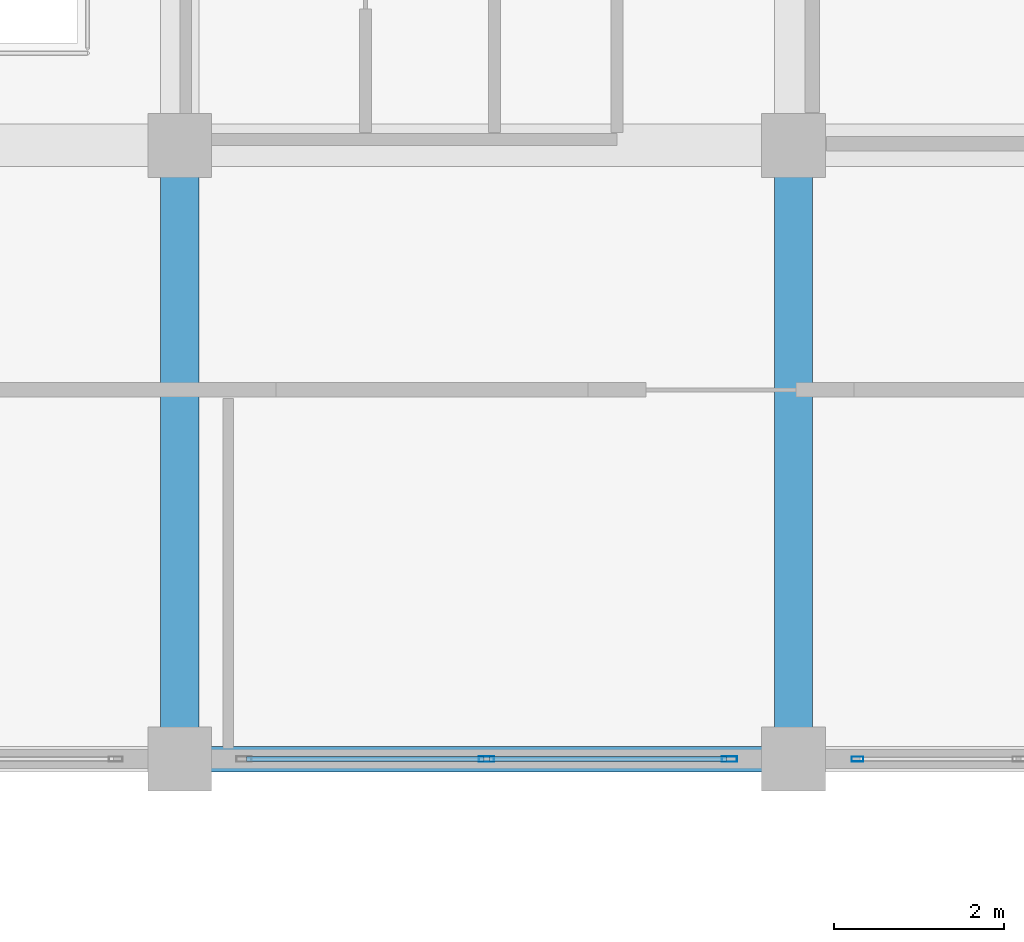
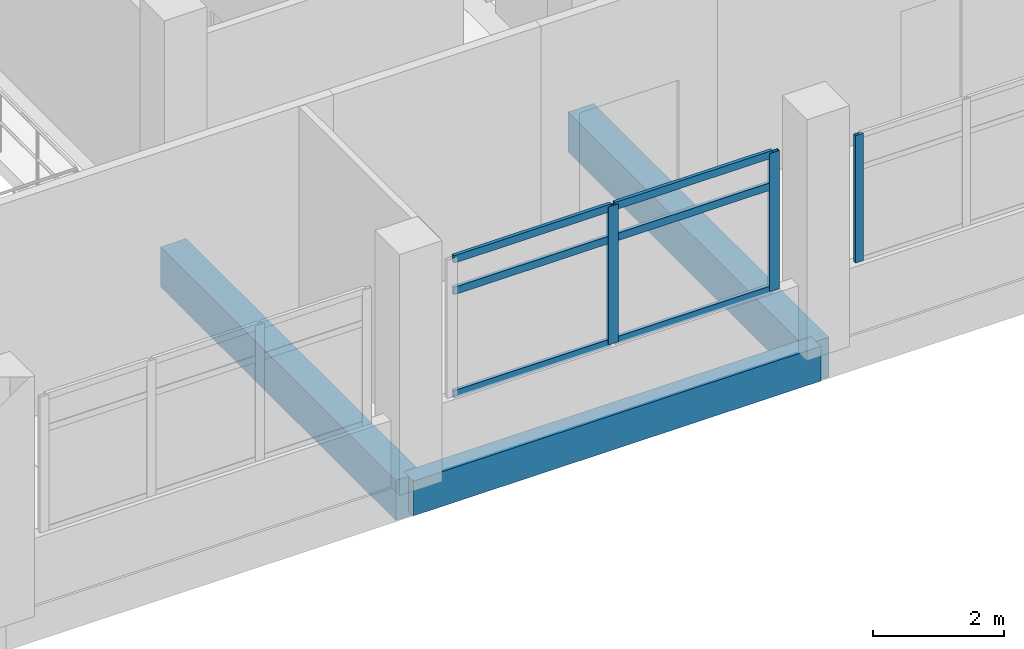
# One storey, part 26 of 141: 9 members, 3 beams, 2 elements without a shape of their own.
"""IFC4 building model written with IfcOpenShell, lengths in metres."""

from ifc_helpers import new_model, si_unit, direction, frame, origin, origin_2d, place, context, subcontext, project, spatial, rectangle, hollow_rectangle, extrude, material, layer, layer_set, material_profile, profile_set, type_object, element, aggregate, save


model = new_model("IFC4")

# Units and contexts
model_context = context("Model", 3, precision=1e-05, world=origin(), true_north=direction((0.0, 1.0)))
body_context = subcontext(model_context, "Body", "Model", "MODEL_VIEW")
ifc_project = project(units=[si_unit("LENGTHUNIT", "METRE"), si_unit("AREAUNIT", "SQUARE_METRE"), si_unit("VOLUMEUNIT", "CUBIC_METRE"), si_unit("PLANEANGLEUNIT", "RADIAN"), si_unit("MASSUNIT", "GRAM", prefix="KILO")], contexts=[model_context])

# Site, building, storey
site_placement = place(None, origin())
site = spatial("IfcSite", under=ifc_project, at=site_placement, CompositionType="ELEMENT")
building_placement = place(site_placement, origin())
building = spatial("IfcBuilding", under=site, at=building_placement, Name="Seraya Terrace Polytechnic", CompositionType="ELEMENT")
storey_placement = place(building_placement, frame((0.0, 0.0, 14.39990234375)))
storey = spatial("IfcBuildingStorey", under=building, at=storey_placement, Name="L03", CompositionType="ELEMENT", Elevation=14.39990234375)

# Beams
ifc_material_1 = material(Name="Concrete C40/50", Category="concrete")
ifc_material_profile_1 = material_profile(ifc_material_1, rectangle(XDim=0.449951171875, YDim=0.75, at=origin_2d()), Name="RC 450x750")
ifc_profile_set_1 = profile_set([ifc_material_profile_1], Name="Concrete C40/50")
beam_type_1 = type_object("IfcBeamType", Name="BM-08", PredefinedType="BEAM", material=ifc_profile_set_1)
for number, where, z_axis, x_axis, name in (
    (1, (72.0, 0.0, -0.375), (0.0, 1.0, 0.0), (-1.0, 0.0, 0.0), "Beam BM-08 L03 Y (72.0, 0.0..7.2)"),
    (2, (79.199951171875, 0.0, -0.375), (0.0, 1.0, 0.0), (-1.0, 0.0, 0.0), "Beam BM-08 L03 Y (79.2, 0.0..7.2)"),
):
    element("IfcBeam", number, at=place(storey_placement, frame(where, z_axis=z_axis, x_axis=x_axis)), inside=storey, type_object=beam_type_1, Name=name, PredefinedType="BEAM", context=body_context, shape_type="SweptSolid", body=[
        extrude(rectangle(XDim=0.449951171875, YDim=0.75, at=origin_2d()), origin(), (0.0, 0.0, 1.0), 7.199951171875),
    ])

# Curtain wall, members
ifc_material_2 = material(Name="Anodised aluminium EN AW-6063 T6", Category="aluminium")
ifc_layer_1 = layer(ifc_material_2, 0.179931640625, Name="CW-31")
ifc_layer_set_1 = layer_set([ifc_layer_1], Name="Anodised aluminium EN AW-6063 T6")
curtain_wall_type_1 = type_object("IfcCurtainWallType", Name="CW-31", PredefinedType="NOTDEFINED", material=ifc_layer_set_1)
curtain_wall_1_placement = place(storey_placement, origin())
curtain_wall_1 = element("IfcCurtainWall", 3, at=curtain_wall_1_placement, inside=storey, type_object=curtain_wall_type_1, Name="Unitised curtain wall CW-31 (CW-L03-103)", PredefinedType="NOTDEFINED")
ifc_material_profile_2 = material_profile(ifc_material_2, hollow_rectangle(XDim=0.06494140625, YDim=0.179931640625, WallThickness=0.00390625, at=origin_2d()), Name="RHS 180x65x4.0")
ifc_profile_set_2 = profile_set([ifc_material_profile_2], Name="Anodised aluminium EN AW-6063 T6")
member_type_1 = type_object("IfcMemberType", Name="CWM-01", PredefinedType="MULLION", material=ifc_profile_set_2)
member_1_placement = place(storey_placement, frame((78.447509765625, 0.0, 1.239990234375), z_axis=(0.0, 0.0, 1.0), x_axis=(0.0, -1.0, 0.0)))
member_1 = element("IfcMember", 4, at=member_1_placement, type_object=member_type_1, Name="CW-31 mullion 1", PredefinedType="MULLION", context=body_context, shape_type="SweptSolid", body=[
    extrude(hollow_rectangle(XDim=0.06494140625, YDim=0.179931640625, WallThickness=0.00390625, at=origin_2d()), origin(), (0.0, 0.0, 1.0), 2.580078125),
])
member_2_placement = place(storey_placement, frame((75.60009765625, 0.0, 1.239990234375), z_axis=(0.0, 0.0, 1.0), x_axis=(0.0, -1.0, 0.0)))
member_2 = element("IfcMember", 5, at=member_2_placement, type_object=member_type_1, Name="CW-31 mullion 2", PredefinedType="MULLION", context=body_context, shape_type="SweptSolid", body=[
    extrude(hollow_rectangle(XDim=0.06494140625, YDim=0.179931640625, WallThickness=0.00390625, at=origin_2d()), origin(), (0.0, 0.0, 1.0), 2.580078125),
])

# Curtain wall, member
ifc_layer_2 = layer(ifc_material_2, 0.179931640625, Name="CW-30")
ifc_layer_set_2 = layer_set([ifc_layer_2], Name="Anodised aluminium EN AW-6063 T6")
curtain_wall_type_2 = type_object("IfcCurtainWallType", Name="CW-30", PredefinedType="NOTDEFINED", material=ifc_layer_set_2)
curtain_wall_2_placement = place(storey_placement, origin())
curtain_wall_2 = element("IfcCurtainWall", 6, at=curtain_wall_2_placement, inside=storey, type_object=curtain_wall_type_2, Name="Unitised curtain wall CW-30 (CW-L03-102)", PredefinedType="NOTDEFINED")
ifc_material_profile_3 = material_profile(ifc_material_2, hollow_rectangle(XDim=0.06005859375, YDim=0.139892578125, WallThickness=0.00341796875, at=origin_2d()), Name="RHS 140x60x3.5")
ifc_profile_set_3 = profile_set([ifc_material_profile_3], Name="Anodised aluminium EN AW-6063 T6")
member_type_2 = type_object("IfcMemberType", Name="CWM-03", PredefinedType="MULLION", material=ifc_profile_set_3)
member_3_placement = place(storey_placement, frame((79.949951171875, 0.0, 1.239990234375), z_axis=(0.0, 0.0, 1.0), x_axis=(0.0, -1.0, 0.0)))
member_3 = element("IfcMember", 7, at=member_3_placement, type_object=member_type_2, Name="CW-30 mullion 4", PredefinedType="MULLION", context=body_context, shape_type="SweptSolid", body=[
    extrude(hollow_rectangle(XDim=0.06005859375, YDim=0.139892578125, WallThickness=0.00341796875, at=origin_2d()), origin(), (0.0, 0.0, 1.0), 2.380126953125),
])
aggregate(curtain_wall_2, [member_3])

# Member
ifc_material_profile_4 = material_profile(ifc_material_2, hollow_rectangle(XDim=0.06005859375, YDim=0.139892578125, WallThickness=0.00341796875, at=origin_2d()), Name="RHS 140x60x3.5")
ifc_profile_set_4 = profile_set([ifc_material_profile_4], Name="Anodised aluminium EN AW-6063 T6")
member_type_3 = type_object("IfcMemberType", Name="CWT-01", PredefinedType="USERDEFINED", material=ifc_profile_set_4)
member_4_placement = place(storey_placement, frame((78.4150390625, 0.0, 1.27001953125), z_axis=(-1.0, 0.0, 0.0), x_axis=(0.0, -1.0, 0.0)))
member_4 = element("IfcMember", 8, at=member_4_placement, type_object=member_type_3, Name="CW-31 transom 1.1", ObjectType="TRANSOM", PredefinedType="USERDEFINED", context=body_context, shape_type="SweptSolid", body=[
    extrude(hollow_rectangle(XDim=0.06005859375, YDim=0.139892578125, WallThickness=0.00341796875, at=origin_2d()), origin(), (0.0, 0.0, 1.0), 2.782470703125),
])

member_5_placement = place(storey_placement, frame((78.4150390625, 0.0, 3.2001953125), z_axis=(-1.0, 0.0, 0.0), x_axis=(0.0, -1.0, 0.0)))
member_5 = element("IfcMember", 9, at=member_5_placement, type_object=member_type_3, Name="CW-31 transom 1.2", ObjectType="TRANSOM", PredefinedType="USERDEFINED", context=body_context, shape_type="SweptSolid", body=[
    extrude(hollow_rectangle(XDim=0.06005859375, YDim=0.139892578125, WallThickness=0.00341796875, at=origin_2d()), origin(), (0.0, 0.0, 1.0), 2.782470703125),
])

member_6_placement = place(storey_placement, frame((78.4150390625, 0.0, 3.7900390625), z_axis=(-1.0, 0.0, 0.0), x_axis=(0.0, -1.0, 0.0)))
member_6 = element("IfcMember", 10, at=member_6_placement, type_object=member_type_3, Name="CW-31 transom 1.3", ObjectType="TRANSOM", PredefinedType="USERDEFINED", context=body_context, shape_type="SweptSolid", body=[
    extrude(hollow_rectangle(XDim=0.06005859375, YDim=0.139892578125, WallThickness=0.00341796875, at=origin_2d()), origin(), (0.0, 0.0, 1.0), 2.782470703125),
])

member_7_placement = place(storey_placement, frame((75.5673828125, 0.0, 1.27001953125), z_axis=(-1.0, 0.0, 0.0), x_axis=(0.0, -1.0, 0.0)))
member_7 = element("IfcMember", 11, at=member_7_placement, type_object=member_type_3, Name="CW-31 transom 2.1", ObjectType="TRANSOM", PredefinedType="USERDEFINED", context=body_context, shape_type="SweptSolid", body=[
    extrude(hollow_rectangle(XDim=0.06005859375, YDim=0.139892578125, WallThickness=0.00341796875, at=origin_2d()), origin(), (0.0, 0.0, 1.0), 2.782470703125),
])

member_8_placement = place(storey_placement, frame((75.5673828125, 0.0, 3.2001953125), z_axis=(-1.0, 0.0, 0.0), x_axis=(0.0, -1.0, 0.0)))
member_8 = element("IfcMember", 12, at=member_8_placement, type_object=member_type_3, Name="CW-31 transom 2.2", ObjectType="TRANSOM", PredefinedType="USERDEFINED", context=body_context, shape_type="SweptSolid", body=[
    extrude(hollow_rectangle(XDim=0.06005859375, YDim=0.139892578125, WallThickness=0.00341796875, at=origin_2d()), origin(), (0.0, 0.0, 1.0), 2.782470703125),
])

member_9_placement = place(storey_placement, frame((75.5673828125, 0.0, 3.7900390625), z_axis=(-1.0, 0.0, 0.0), x_axis=(0.0, -1.0, 0.0)))
member_9 = element("IfcMember", 13, at=member_9_placement, type_object=member_type_3, Name="CW-31 transom 2.3", ObjectType="TRANSOM", PredefinedType="USERDEFINED", context=body_context, shape_type="SweptSolid", body=[
    extrude(hollow_rectangle(XDim=0.06005859375, YDim=0.139892578125, WallThickness=0.00341796875, at=origin_2d()), origin(), (0.0, 0.0, 1.0), 2.782470703125),
])

aggregate(curtain_wall_1, [member_1, member_2, member_4, member_5, member_6, member_7, member_8, member_9])

# Beam
ifc_material_profile_5 = material_profile(ifc_material_1, rectangle(XDim=0.300048828125, YDim=0.64990234375, at=origin_2d()), Name="RC 300x650")
ifc_profile_set_5 = profile_set([ifc_material_profile_5], Name="Concrete C40/50")
beam_type_2 = type_object("IfcBeamType", Name="SP-01", PredefinedType="SPANDREL", material=ifc_profile_set_5)
beam_placement = place(storey_placement, frame((72.0, 0.0, -0.324951171875), z_axis=(1.0, 0.0, 0.0), x_axis=(0.0, 1.0, 0.0)))
element("IfcBeam", 14, at=beam_placement, inside=storey, type_object=beam_type_2, Name="Beam SP-01 L03 X (72.0..79.2, 0.0)", PredefinedType="SPANDREL", context=body_context, shape_type="SweptSolid", body=[
    extrude(rectangle(XDim=0.300048828125, YDim=0.64990234375, at=origin_2d()), origin(), (0.0, 0.0, 1.0), 7.199951171875),
])

save(model, "model.ifc")
